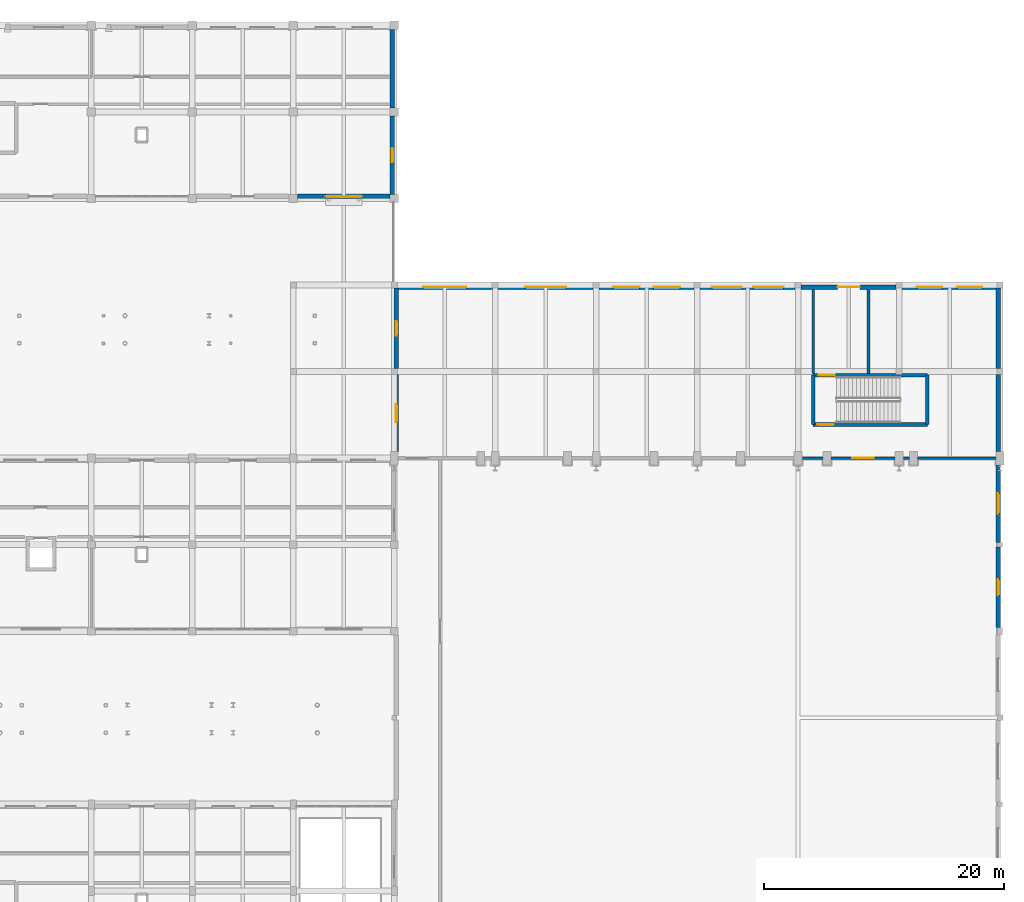
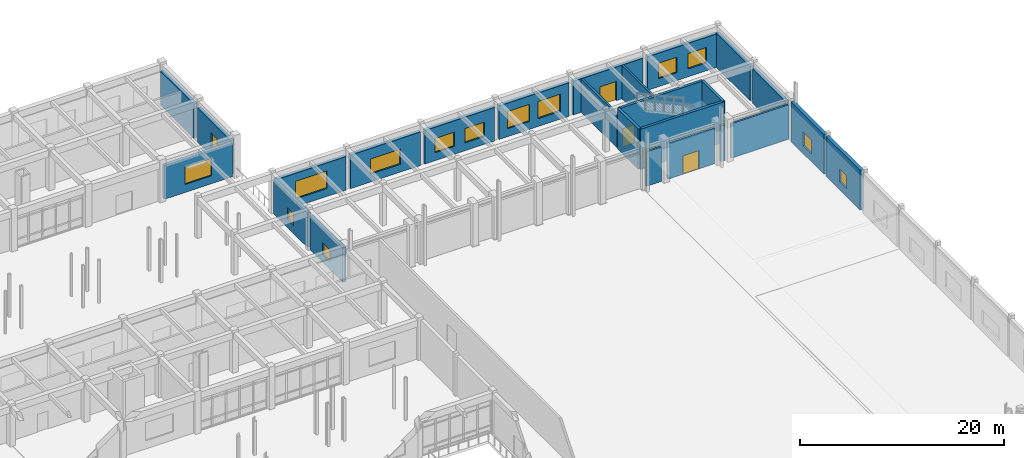
# One storey, part 88 of 121: 25 walls, 14 windows, 4 doors, 18 openings.
"""IFC4 building model written with IfcOpenShell, lengths in metres."""

from ifc_helpers import new_model, si_unit, direction, frame, frame_2d, origin, place, context, subcontext, project, spatial, rectangle, extrude, material, layer, layer_set, type_object, element, fill, save


model = new_model("IFC4")

# Units and contexts
model_context = context("Model", 3, precision=1e-05, world=origin(), true_north=direction((0.0, 1.0)))
body_context = subcontext(model_context, "Body", "Model", "MODEL_VIEW")
ifc_project = project(units=[si_unit("LENGTHUNIT", "METRE"), si_unit("AREAUNIT", "SQUARE_METRE"), si_unit("VOLUMEUNIT", "CUBIC_METRE"), si_unit("PLANEANGLEUNIT", "RADIAN"), si_unit("MASSUNIT", "GRAM", prefix="KILO")], contexts=[model_context])

# Site, building, storey
site_placement = place(None, origin())
site = spatial("IfcSite", under=ifc_project, at=site_placement, CompositionType="ELEMENT")
building_placement = place(site_placement, origin())
building = spatial("IfcBuilding", under=site, at=building_placement, Name="Malvenik Polytechnic", CompositionType="ELEMENT")
storey_placement = place(building_placement, origin())
storey = spatial("IfcBuildingStorey", under=building, at=storey_placement, Name="L00", CompositionType="ELEMENT", Elevation=0.0)

# Wall
ifc_material_1 = material(Name="Concrete C35/45", Category="concrete")
ifc_layer_1 = layer(ifc_material_1, 0.300048828125)
ifc_layer_set_1 = layer_set([ifc_layer_1], Name="Concrete C35/45")
wall_type_1 = type_object("IfcWallType", Name="ARC-CW-S300", PredefinedType="SHEAR", material=ifc_layer_set_1)
wall_1_placement = place(storey_placement, frame((169.25, 96.39990234375, 0.0), z_axis=(0.0, 0.0, 1.0), x_axis=(0.0, 1.0, 0.0)))
element("IfcWall", 1, at=wall_1_placement, inside=storey, type_object=wall_type_1, Name="Stair Core Shear Wall ST-12 L00 NEAR", PredefinedType="SHEAR", context=body_context, shape_type="SweptSolid", body=[
    extrude(rectangle(XDim=4.10009765625, YDim=0.300048828125, at=frame_2d((2.050048828125, 0.0))), origin(), (0.0, 0.0, 1.0), 4.820068359375),
])

# Wall, opening, door
wall_2_placement = place(storey_placement, frame((169.25, 100.5, 0.0), z_axis=(0.0, 0.0, 1.0), x_axis=(1.0, 0.0, 0.0)))
wall_2 = element("IfcWall", 2, at=wall_2_placement, inside=storey, type_object=wall_type_1, Name="Stair Core Shear Wall ST-12 L00 RGHT", PredefinedType="SHEAR", context=body_context, shape_type="SweptSolid", body=[
    extrude(rectangle(XDim=9.5, YDim=0.300048828125, at=frame_2d((4.75, 0.0))), origin(), (0.0, 0.0, 1.0), 4.820068359375),
])
opening_1_placement = place(wall_2_placement, frame((0.449951171875, 0.0, 0.0)))
opening_1 = element("IfcOpeningElement", 3, at=opening_1_placement, cuts=wall_2, Name="Opening SD-01", PredefinedType="OPENING", context=body_context, shape_type="SweptSolid", body=[
    extrude(rectangle(XDim=1.35009765625, YDim=2.199951171875, at=frame_2d((0.675048828125, 1.10009765625))), frame((0.0, 0.16015625, 0.0), z_axis=(0.0, -1.0, 0.0), x_axis=(1.0, 0.0, 0.0)), (0.0, 0.0, 1.0), 0.320068359375),
])
ifc_material_2 = material(Name="Fire-rated steel stair enclosure door", Category="steel")
door_type_1 = type_object("IfcDoorType", Name="ARC-IDR-SD-01", OperationType="NOTDEFINED", PredefinedType="DOOR", material=ifc_material_2)
door_1_placement = place(opening_1_placement, origin())
door_1 = element("IfcDoor", 4, at=door_1_placement, inside=storey, type_object=door_type_1, Name="Fire Stair Exit Discharge Door ST-12 L00", OperationType="SINGLE_SWING_RIGHT", OverallHeight=2.199951171875, OverallWidth=1.35009765625, PredefinedType="DOOR", context=body_context, shape_type="SweptSolid", body=[
    extrude(rectangle(XDim=1.35009765625, YDim=2.199951171875, at=frame_2d((0.675048828125, 1.10009765625))), frame((0.0, 0.02490234375, 0.0), z_axis=(0.0, -1.0, 0.0), x_axis=(1.0, 0.0, 0.0)), (0.0, 0.0, 1.0), 0.050048828125),
])
fill(opening_1, door_1)

# Wall
wall_3_placement = place(storey_placement, frame((178.75, 100.5, 0.0), z_axis=(0.0, 0.0, 1.0), x_axis=(0.0, -1.0, 0.0)))
element("IfcWall", 5, at=wall_3_placement, inside=storey, type_object=wall_type_1, Name="Stair Core Shear Wall ST-12 L00 FAR", PredefinedType="SHEAR", context=body_context, shape_type="SweptSolid", body=[
    extrude(rectangle(XDim=4.10009765625, YDim=0.300048828125, at=frame_2d((2.050048828125, 0.0))), origin(), (0.0, 0.0, 1.0), 4.820068359375),
])

# Wall, opening, door
wall_4_placement = place(storey_placement, frame((178.75, 96.39990234375, 0.0), z_axis=(0.0, 0.0, 1.0), x_axis=(-1.0, 0.0, 0.0)))
wall_4 = element("IfcWall", 6, at=wall_4_placement, inside=storey, type_object=wall_type_1, Name="Stair Core Shear Wall ST-12 L00 LEFT", PredefinedType="SHEAR", context=body_context, shape_type="SweptSolid", body=[
    extrude(rectangle(XDim=9.5, YDim=0.300048828125, at=frame_2d((4.75, 0.0))), origin(), (0.0, 0.0, 1.0), 4.820068359375),
])
opening_2_placement = place(wall_4_placement, frame((7.800048828125, 0.0, 0.0)))
opening_2 = element("IfcOpeningElement", 7, at=opening_2_placement, cuts=wall_4, Name="Opening SD-01", PredefinedType="OPENING", context=body_context, shape_type="SweptSolid", body=[
    extrude(rectangle(XDim=1.35009765625, YDim=2.199951171875, at=frame_2d((0.675048828125, 1.10009765625))), frame((0.0, 0.16015625, 0.0), z_axis=(0.0, -1.0, 0.0), x_axis=(1.0, 0.0, 0.0)), (0.0, 0.0, 1.0), 0.320068359375),
])
door_2_placement = place(opening_2_placement, origin())
door_2 = element("IfcDoor", 8, at=door_2_placement, inside=storey, type_object=door_type_1, Name="Fire Stair Door ST-12 L00", OperationType="SINGLE_SWING_LEFT", OverallHeight=2.199951171875, OverallWidth=1.35009765625, PredefinedType="DOOR", context=body_context, shape_type="SweptSolid", body=[
    extrude(rectangle(XDim=1.35009765625, YDim=2.199951171875, at=frame_2d((0.675048828125, 1.10009765625))), frame((0.0, 0.02490234375, 0.0), z_axis=(0.0, -1.0, 0.0), x_axis=(1.0, 0.0, 0.0)), (0.0, 0.0, 1.0), 0.050048828125),
])
fill(opening_2, door_2)

# Wall
ifc_material_3 = material(Name="Concrete C30/37", Category="concrete")
ifc_layer_2 = layer(ifc_material_3, 0.3798828125)
ifc_layer_set_2 = layer_set([ifc_layer_2], Name="Concrete C30/37")
wall_type_2 = type_object("IfcWallType", Name="ARC-EW-380", PredefinedType="SOLIDWALL", material=ifc_layer_set_2)
wall_5_placement = place(storey_placement, frame((134.22998046875, 129.251953125, 0.0), z_axis=(0.0, 0.0, 1.0), x_axis=(0.0, -1.0, 0.0)))
element("IfcWall", 9, at=wall_5_placement, inside=storey, type_object=wall_type_2, Name="External Facade Wall EW-01 L00 #99", PredefinedType="SOLIDWALL", context=body_context, shape_type="SweptSolid", body=[
    extrude(rectangle(XDim=6.50390625, YDim=0.3798828125, at=frame_2d((3.251953125, 0.0))), origin(), (0.0, 0.0, 1.0), 4.110107421875),
])

# Wall, opening, window
wall_6_placement = place(storey_placement, frame((134.22998046875, 122.052001953125, 0.0), z_axis=(0.0, 0.0, 1.0), x_axis=(0.0, -1.0, 0.0)))
wall_6 = element("IfcWall", 10, at=wall_6_placement, inside=storey, type_object=wall_type_2, Name="External Facade Wall EW-01 L00 #100", PredefinedType="SOLIDWALL", context=body_context, shape_type="SweptSolid", body=[
    extrude(rectangle(XDim=6.50390625, YDim=0.3798828125, at=frame_2d((3.251953125, 0.0))), origin(), (0.0, 0.0, 1.0), 4.110107421875),
])
opening_3_placement = place(wall_6_placement, frame((2.652099609375, 0.0, 0.949951171875)))
opening_3 = element("IfcOpeningElement", 11, at=opening_3_placement, cuts=wall_6, Name="Opening W-07", PredefinedType="OPENING", context=body_context, shape_type="SweptSolid", body=[
    extrude(rectangle(XDim=1.199951171875, YDim=1.800048828125, at=frame_2d((0.60009765625, 0.89990234375))), frame((0.0, 0.199951171875, 0.0), z_axis=(0.0, -1.0, 0.0), x_axis=(1.0, 0.0, 0.0)), (0.0, 0.0, 1.0), 0.39990234375),
])
ifc_material_4 = material(Name="Thermally broken aluminium frame with low-E double glazing", Category="aluminium")
window_type_1 = type_object("IfcWindowType", Name="ARC-WIN-W-07", PartitioningType="SINGLE_PANEL", PredefinedType="WINDOW", material=ifc_material_4)
window_1_placement = place(opening_3_placement, origin())
window_1 = element("IfcWindow", 12, at=window_1_placement, inside=storey, type_object=window_type_1, Name="Punched Window W-07 L00 #65", OverallHeight=1.800048828125, OverallWidth=1.199951171875, PartitioningType="SINGLE_PANEL", PredefinedType="WINDOW", context=body_context, shape_type="SweptSolid", body=[
    extrude(rectangle(XDim=1.199951171875, YDim=1.800048828125, at=frame_2d((0.60009765625, 0.89990234375))), frame((0.0, 0.030029296875, 0.0), z_axis=(0.0, -1.0, 0.0), x_axis=(1.0, 0.0, 0.0)), (0.0, 0.0, 1.0), 0.06005859375),
])
fill(opening_3, window_1)

wall_7_placement = place(storey_placement, frame((134.052001953125, 115.3701171875, 0.0), z_axis=(0.0, 0.0, 1.0), x_axis=(-1.0, 0.0, 0.0)))
wall_7 = element("IfcWall", 13, at=wall_7_placement, inside=storey, type_object=wall_type_2, Name="External Facade Wall EW-01 L00 #101", PredefinedType="SOLIDWALL", context=body_context, shape_type="SweptSolid", body=[
    extrude(rectangle(XDim=7.7041015625, YDim=0.3798828125, at=frame_2d((3.85205078125, 0.0))), origin(), (0.0, 0.0, 1.0), 4.010009765625),
])
opening_4_placement = place(wall_7_placement, frame((2.35205078125, 0.0, 0.949951171875)))
opening_4 = element("IfcOpeningElement", 14, at=opening_4_placement, cuts=wall_7, Name="Opening W-08", PredefinedType="OPENING", context=body_context, shape_type="SweptSolid", body=[
    extrude(rectangle(XDim=3.0, YDim=2.10009765625, at=frame_2d((1.5, 1.050048828125))), frame((0.0, 0.199951171875, 0.0), z_axis=(0.0, -1.0, 0.0), x_axis=(1.0, 0.0, 0.0)), (0.0, 0.0, 1.0), 0.39990234375),
])
window_type_2 = type_object("IfcWindowType", Name="ARC-WIN-W-08", PartitioningType="SINGLE_PANEL", PredefinedType="WINDOW", material=ifc_material_4)
window_2_placement = place(opening_4_placement, origin())
window_2 = element("IfcWindow", 15, at=window_2_placement, inside=storey, type_object=window_type_2, Name="Punched Window W-08 L00 #66", OverallHeight=2.10009765625, OverallWidth=3.0, PartitioningType="SINGLE_PANEL", PredefinedType="WINDOW", context=body_context, shape_type="SweptSolid", body=[
    extrude(rectangle(XDim=3.0, YDim=2.10009765625, at=frame_2d((1.5, 1.050048828125))), frame((0.0, 0.030029296875, 0.0), z_axis=(0.0, -1.0, 0.0), x_axis=(1.0, 0.0, 0.0)), (0.0, 0.0, 1.0), 0.06005859375),
])
fill(opening_4, window_2)

wall_8_placement = place(storey_placement, frame((134.570068359375, 94.14794921875, 0.0), z_axis=(0.0, 0.0, 1.0), x_axis=(0.0, 1.0, 0.0)))
wall_8 = element("IfcWall", 16, at=wall_8_placement, inside=storey, type_object=wall_type_2, Name="External Facade Wall EW-01 L00 #111", PredefinedType="SOLIDWALL", context=body_context, shape_type="SweptSolid", body=[
    extrude(rectangle(XDim=6.404052734375, YDim=0.3798828125, at=frame_2d((3.2021484375, 0.0))), origin(), (0.0, 0.0, 1.0), 4.110107421875),
])
opening_5_placement = place(wall_8_placement, frame((2.451904296875, 0.0, 0.949951171875)))
opening_5 = element("IfcOpeningElement", 17, at=opening_5_placement, cuts=wall_8, Name="Opening W-15", PredefinedType="OPENING", context=body_context, shape_type="SweptSolid", body=[
    extrude(rectangle(XDim=1.5, YDim=1.39990234375, at=frame_2d((0.75, 0.699951171875))), frame((0.0, 0.199951171875, 0.0), z_axis=(0.0, -1.0, 0.0), x_axis=(1.0, 0.0, 0.0)), (0.0, 0.0, 1.0), 0.39990234375),
])
window_type_3 = type_object("IfcWindowType", Name="ARC-WIN-W-15", PartitioningType="SINGLE_PANEL", PredefinedType="WINDOW", material=ifc_material_4)
window_3_placement = place(opening_5_placement, origin())
window_3 = element("IfcWindow", 18, at=window_3_placement, inside=storey, type_object=window_type_3, Name="Punched Window W-15 L00 #73", OverallHeight=1.39990234375, OverallWidth=1.5, PartitioningType="SINGLE_PANEL", PredefinedType="WINDOW", context=body_context, shape_type="SweptSolid", body=[
    extrude(rectangle(XDim=1.5, YDim=1.39990234375, at=frame_2d((0.75, 0.699951171875))), frame((0.0, 0.030029296875, 0.0), z_axis=(0.0, -1.0, 0.0), x_axis=(1.0, 0.0, 0.0)), (0.0, 0.0, 1.0), 0.06005859375),
])
fill(opening_5, window_3)

wall_9_placement = place(storey_placement, frame((134.570068359375, 101.048095703125, 0.0), z_axis=(0.0, 0.0, 1.0), x_axis=(0.0, 1.0, 0.0)))
wall_9 = element("IfcWall", 19, at=wall_9_placement, inside=storey, type_object=wall_type_2, Name="External Facade Wall EW-01 L00 #112", PredefinedType="SOLIDWALL", context=body_context, shape_type="SweptSolid", body=[
    extrude(rectangle(XDim=6.703857421875, YDim=0.3798828125, at=frame_2d((3.35205078125, 0.0))), origin(), (0.0, 0.0, 1.0), 4.110107421875),
])
opening_6_placement = place(wall_9_placement, frame((2.751953125, 0.0, 0.949951171875)))
opening_6 = element("IfcOpeningElement", 20, at=opening_6_placement, cuts=wall_9, Name="Opening W-16", PredefinedType="OPENING", context=body_context, shape_type="SweptSolid", body=[
    extrude(rectangle(XDim=1.199951171875, YDim=1.39990234375, at=frame_2d((0.60009765625, 0.699951171875))), frame((0.0, 0.199951171875, 0.0), z_axis=(0.0, -1.0, 0.0), x_axis=(1.0, 0.0, 0.0)), (0.0, 0.0, 1.0), 0.39990234375),
])
window_type_4 = type_object("IfcWindowType", Name="ARC-WIN-W-16", PartitioningType="SINGLE_PANEL", PredefinedType="WINDOW", material=ifc_material_4)
window_4_placement = place(opening_6_placement, origin())
window_4 = element("IfcWindow", 21, at=window_4_placement, inside=storey, type_object=window_type_4, Name="Punched Window W-16 L00 #74", OverallHeight=1.39990234375, OverallWidth=1.199951171875, PartitioningType="SINGLE_PANEL", PredefinedType="WINDOW", context=body_context, shape_type="SweptSolid", body=[
    extrude(rectangle(XDim=1.199951171875, YDim=1.39990234375, at=frame_2d((0.60009765625, 0.699951171875))), frame((0.0, 0.030029296875, 0.0), z_axis=(0.0, -1.0, 0.0), x_axis=(1.0, 0.0, 0.0)), (0.0, 0.0, 1.0), 0.06005859375),
])
fill(opening_6, window_4)

wall_10_placement = place(storey_placement, frame((134.64794921875, 107.830078125, 0.0), z_axis=(0.0, 0.0, 1.0), x_axis=(1.0, 0.0, 0.0)))
wall_10 = element("IfcWall", 22, at=wall_10_placement, inside=storey, type_object=wall_type_2, Name="External Facade Wall EW-01 L00 #113", PredefinedType="SOLIDWALL", context=body_context, shape_type="SweptSolid", body=[
    extrude(rectangle(XDim=7.904052734375, YDim=0.3798828125, at=frame_2d((3.9521484375, 0.0))), origin(), (0.0, 0.0, 1.0), 4.010009765625),
])
opening_7_placement = place(wall_10_placement, frame((2.152099609375, 0.0, 0.949951171875)))
opening_7 = element("IfcOpeningElement", 23, at=opening_7_placement, cuts=wall_10, Name="Opening W-17", PredefinedType="OPENING", context=body_context, shape_type="SweptSolid", body=[
    extrude(rectangle(XDim=3.60009765625, YDim=2.10009765625, at=frame_2d((1.800048828125, 1.050048828125))), frame((0.0, 0.199951171875, 0.0), z_axis=(0.0, -1.0, 0.0), x_axis=(1.0, 0.0, 0.0)), (0.0, 0.0, 1.0), 0.39990234375),
])
window_type_5 = type_object("IfcWindowType", Name="ARC-WIN-W-17", PartitioningType="SINGLE_PANEL", PredefinedType="WINDOW", material=ifc_material_4)
window_5_placement = place(opening_7_placement, origin())
window_5 = element("IfcWindow", 24, at=window_5_placement, inside=storey, type_object=window_type_5, Name="Punched Window W-17 L00 #75", OverallHeight=2.10009765625, OverallWidth=3.60009765625, PartitioningType="SINGLE_PANEL", PredefinedType="WINDOW", context=body_context, shape_type="SweptSolid", body=[
    extrude(rectangle(XDim=3.60009765625, YDim=2.10009765625, at=frame_2d((1.800048828125, 1.050048828125))), frame((0.0, 0.030029296875, 0.0), z_axis=(0.0, -1.0, 0.0), x_axis=(1.0, 0.0, 0.0)), (0.0, 0.0, 1.0), 0.06005859375),
])
fill(opening_7, window_5)

wall_11_placement = place(storey_placement, frame((143.048095703125, 107.830078125, 0.0), z_axis=(0.0, 0.0, 1.0), x_axis=(1.0, 0.0, 0.0)))
wall_11 = element("IfcWall", 25, at=wall_11_placement, inside=storey, type_object=wall_type_2, Name="External Facade Wall EW-01 L00 #114", PredefinedType="SOLIDWALL", context=body_context, shape_type="SweptSolid", body=[
    extrude(rectangle(XDim=7.90380859375, YDim=0.3798828125, at=frame_2d((3.951904296875, 0.0))), origin(), (0.0, 0.0, 1.0), 4.010009765625),
])
opening_8_placement = place(wall_11_placement, frame((2.251953125, 0.0, 0.949951171875)))
opening_8 = element("IfcOpeningElement", 26, at=opening_8_placement, cuts=wall_11, Name="Opening W-18", PredefinedType="OPENING", context=body_context, shape_type="SweptSolid", body=[
    extrude(rectangle(XDim=3.39990234375, YDim=1.800048828125, at=frame_2d((1.699951171875, 0.89990234375))), frame((0.0, 0.199951171875, 0.0), z_axis=(0.0, -1.0, 0.0), x_axis=(1.0, 0.0, 0.0)), (0.0, 0.0, 1.0), 0.39990234375),
])
window_type_6 = type_object("IfcWindowType", Name="ARC-WIN-W-18", PartitioningType="SINGLE_PANEL", PredefinedType="WINDOW", material=ifc_material_4)
window_6_placement = place(opening_8_placement, origin())
window_6 = element("IfcWindow", 27, at=window_6_placement, inside=storey, type_object=window_type_6, Name="Punched Window W-18 L00 #76", OverallHeight=1.800048828125, OverallWidth=3.39990234375, PartitioningType="SINGLE_PANEL", PredefinedType="WINDOW", context=body_context, shape_type="SweptSolid", body=[
    extrude(rectangle(XDim=3.39990234375, YDim=1.800048828125, at=frame_2d((1.699951171875, 0.89990234375))), frame((0.0, 0.030029296875, 0.0), z_axis=(0.0, -1.0, 0.0), x_axis=(1.0, 0.0, 0.0)), (0.0, 0.0, 1.0), 0.06005859375),
])
fill(opening_8, window_6)

# Wall, openings, windows
wall_12_placement = place(storey_placement, frame((151.447998046875, 107.830078125, 0.0), z_axis=(0.0, 0.0, 1.0), x_axis=(1.0, 0.0, 0.0)))
wall_12 = element("IfcWall", 28, at=wall_12_placement, inside=storey, type_object=wall_type_2, Name="External Facade Wall EW-01 L00 #115", PredefinedType="SOLIDWALL", context=body_context, shape_type="SweptSolid", body=[
    extrude(rectangle(XDim=7.904052734375, YDim=0.3798828125, at=frame_2d((3.9521484375, 0.0))), origin(), (0.0, 0.0, 1.0), 4.010009765625),
])
opening_9_placement = place(wall_12_placement, frame((1.16796875, 0.0, 0.949951171875)))
opening_9 = element("IfcOpeningElement", 29, at=opening_9_placement, cuts=wall_12, Name="Opening W-19", PredefinedType="OPENING", context=body_context, shape_type="SweptSolid", body=[
    extrude(rectangle(XDim=2.199951171875, YDim=1.699951171875, at=frame_2d((1.10009765625, 0.85009765625))), frame((0.0, 0.199951171875, 0.0), z_axis=(0.0, -1.0, 0.0), x_axis=(1.0, 0.0, 0.0)), (0.0, 0.0, 1.0), 0.39990234375),
])
opening_10_placement = place(wall_12_placement, frame((4.535888671875, 0.0, 0.949951171875)))
opening_10 = element("IfcOpeningElement", 30, at=opening_10_placement, cuts=wall_12, Name="Opening W-19", PredefinedType="OPENING", context=body_context, shape_type="SweptSolid", body=[
    extrude(rectangle(XDim=2.199951171875, YDim=1.699951171875, at=frame_2d((1.10009765625, 0.85009765625))), frame((0.0, 0.199951171875, 0.0), z_axis=(0.0, -1.0, 0.0), x_axis=(1.0, 0.0, 0.0)), (0.0, 0.0, 1.0), 0.39990234375),
])
window_type_7 = type_object("IfcWindowType", Name="ARC-WIN-W-19", PartitioningType="SINGLE_PANEL", PredefinedType="WINDOW", material=ifc_material_4)
window_7_placement = place(opening_9_placement, origin())
window_7 = element("IfcWindow", 31, at=window_7_placement, inside=storey, type_object=window_type_7, Name="Punched Window W-19 L00 #77", OverallHeight=1.699951171875, OverallWidth=2.199951171875, PartitioningType="SINGLE_PANEL", PredefinedType="WINDOW", context=body_context, shape_type="SweptSolid", body=[
    extrude(rectangle(XDim=2.199951171875, YDim=1.699951171875, at=frame_2d((1.10009765625, 0.85009765625))), frame((0.0, 0.030029296875, 0.0), z_axis=(0.0, -1.0, 0.0), x_axis=(1.0, 0.0, 0.0)), (0.0, 0.0, 1.0), 0.06005859375),
])
fill(opening_9, window_7)
window_8_placement = place(opening_10_placement, origin())
window_8 = element("IfcWindow", 32, at=window_8_placement, inside=storey, type_object=window_type_7, Name="Punched Window W-19 L00 #78", OverallHeight=1.699951171875, OverallWidth=2.199951171875, PartitioningType="SINGLE_PANEL", PredefinedType="WINDOW", context=body_context, shape_type="SweptSolid", body=[
    extrude(rectangle(XDim=2.199951171875, YDim=1.699951171875, at=frame_2d((1.10009765625, 0.85009765625))), frame((0.0, 0.030029296875, 0.0), z_axis=(0.0, -1.0, 0.0), x_axis=(1.0, 0.0, 0.0)), (0.0, 0.0, 1.0), 0.06005859375),
])
fill(opening_10, window_8)

wall_13_placement = place(storey_placement, frame((159.847900390625, 107.830078125, 0.0), z_axis=(0.0, 0.0, 1.0), x_axis=(1.0, 0.0, 0.0)))
wall_13 = element("IfcWall", 33, at=wall_13_placement, inside=storey, type_object=wall_type_2, Name="External Facade Wall EW-01 L00 #116", PredefinedType="SOLIDWALL", context=body_context, shape_type="SweptSolid", body=[
    extrude(rectangle(XDim=7.904052734375, YDim=0.3798828125, at=frame_2d((3.9521484375, 0.0))), origin(), (0.0, 0.0, 1.0), 4.010009765625),
])
opening_11_placement = place(wall_13_placement, frame((0.968017578125, 0.0, 0.949951171875)))
opening_11 = element("IfcOpeningElement", 34, at=opening_11_placement, cuts=wall_13, Name="Opening W-21", PredefinedType="OPENING", context=body_context, shape_type="SweptSolid", body=[
    extrude(rectangle(XDim=2.5, YDim=2.050048828125, at=frame_2d((1.25, 1.02490234375))), frame((0.0, 0.199951171875, 0.0), z_axis=(0.0, -1.0, 0.0), x_axis=(1.0, 0.0, 0.0)), (0.0, 0.0, 1.0), 0.39990234375),
])
opening_12_placement = place(wall_13_placement, frame((4.43603515625, 0.0, 0.949951171875)))
opening_12 = element("IfcOpeningElement", 35, at=opening_12_placement, cuts=wall_13, Name="Opening W-21", PredefinedType="OPENING", context=body_context, shape_type="SweptSolid", body=[
    extrude(rectangle(XDim=2.5, YDim=2.050048828125, at=frame_2d((1.25, 1.02490234375))), frame((0.0, 0.199951171875, 0.0), z_axis=(0.0, -1.0, 0.0), x_axis=(1.0, 0.0, 0.0)), (0.0, 0.0, 1.0), 0.39990234375),
])
window_type_8 = type_object("IfcWindowType", Name="ARC-WIN-W-21", PartitioningType="SINGLE_PANEL", PredefinedType="WINDOW", material=ifc_material_4)
window_9_placement = place(opening_11_placement, origin())
window_9 = element("IfcWindow", 36, at=window_9_placement, inside=storey, type_object=window_type_8, Name="Punched Window W-21 L00 #79", OverallHeight=2.050048828125, OverallWidth=2.5, PartitioningType="SINGLE_PANEL", PredefinedType="WINDOW", context=body_context, shape_type="SweptSolid", body=[
    extrude(rectangle(XDim=2.5, YDim=2.050048828125, at=frame_2d((1.25, 1.02490234375))), frame((0.0, 0.030029296875, 0.0), z_axis=(0.0, -1.0, 0.0), x_axis=(1.0, 0.0, 0.0)), (0.0, 0.0, 1.0), 0.06005859375),
])
fill(opening_11, window_9)
window_10_placement = place(opening_12_placement, origin())
window_10 = element("IfcWindow", 37, at=window_10_placement, inside=storey, type_object=window_type_8, Name="Punched Window W-21 L00 #80", OverallHeight=2.050048828125, OverallWidth=2.5, PartitioningType="SINGLE_PANEL", PredefinedType="WINDOW", context=body_context, shape_type="SweptSolid", body=[
    extrude(rectangle(XDim=2.5, YDim=2.050048828125, at=frame_2d((1.25, 1.02490234375))), frame((0.0, 0.030029296875, 0.0), z_axis=(0.0, -1.0, 0.0), x_axis=(1.0, 0.0, 0.0)), (0.0, 0.0, 1.0), 0.06005859375),
])
fill(opening_12, window_10)

# Wall, opening, door
wall_14_placement = place(storey_placement, frame((168.248046875, 107.830078125, 0.0), z_axis=(0.0, 0.0, 1.0), x_axis=(1.0, 0.0, 0.0)))
wall_14 = element("IfcWall", 38, at=wall_14_placement, inside=storey, type_object=wall_type_2, Name="External Facade Wall EW-01 L00 #117", PredefinedType="SOLIDWALL", context=body_context, shape_type="SweptSolid", body=[
    extrude(rectangle(XDim=7.904052734375, YDim=0.3798828125, at=frame_2d((3.9521484375, 0.0))), origin(), (0.0, 0.0, 1.0), 4.010009765625),
])
opening_13_placement = place(wall_14_placement, frame((3.027099609375, 0.0, 0.0)))
opening_13 = element("IfcOpeningElement", 39, at=opening_13_placement, cuts=wall_14, Name="Opening ED-03", PredefinedType="OPENING", context=body_context, shape_type="SweptSolid", body=[
    extrude(rectangle(XDim=1.85009765625, YDim=2.300048828125, at=frame_2d((0.925048828125, 1.14990234375))), frame((0.0, 0.199951171875, 0.0), z_axis=(0.0, -1.0, 0.0), x_axis=(1.0, 0.0, 0.0)), (0.0, 0.0, 1.0), 0.39990234375),
])
ifc_material_5 = material(Name="Powder-coated steel emergency exit double door", Category="steel")
door_type_2 = type_object("IfcDoorType", Name="ARC-EDR-ED-03", OperationType="NOTDEFINED", PredefinedType="DOOR", material=ifc_material_5)
door_3_placement = place(opening_13_placement, origin())
door_3 = element("IfcDoor", 40, at=door_3_placement, inside=storey, type_object=door_type_2, Name="External Door ED-03 L00 #29", OperationType="DOUBLE_DOOR_SINGLE_SWING", OverallHeight=2.300048828125, OverallWidth=1.85009765625, PredefinedType="DOOR", context=body_context, shape_type="SweptSolid", body=[
    extrude(rectangle(XDim=1.85009765625, YDim=2.300048828125, at=frame_2d((0.925048828125, 1.14990234375))), frame((0.0, 0.02490234375, 0.0), z_axis=(0.0, -1.0, 0.0), x_axis=(1.0, 0.0, 0.0)), (0.0, 0.0, 1.0), 0.050048828125),
])
fill(opening_13, door_3)

# Wall, openings, windows
wall_15_placement = place(storey_placement, frame((176.64794921875, 107.830078125, 0.0), z_axis=(0.0, 0.0, 1.0), x_axis=(1.0, 0.0, 0.0)))
wall_15 = element("IfcWall", 41, at=wall_15_placement, inside=storey, type_object=wall_type_2, Name="External Facade Wall EW-01 L00 #118", PredefinedType="SOLIDWALL", context=body_context, shape_type="SweptSolid", body=[
    extrude(rectangle(XDim=7.904052734375, YDim=0.3798828125, at=frame_2d((3.9521484375, 0.0))), origin(), (0.0, 0.0, 1.0), 4.010009765625),
])
opening_14_placement = place(wall_15_placement, frame((1.234619140625, 0.0, 0.949951171875)))
opening_14 = element("IfcOpeningElement", 42, at=opening_14_placement, cuts=wall_15, Name="Opening W-23", PredefinedType="OPENING", context=body_context, shape_type="SweptSolid", body=[
    extrude(rectangle(XDim=2.10009765625, YDim=1.85009765625, at=frame_2d((1.050048828125, 0.925048828125))), frame((0.0, 0.199951171875, 0.0), z_axis=(0.0, -1.0, 0.0), x_axis=(1.0, 0.0, 0.0)), (0.0, 0.0, 1.0), 0.39990234375),
])
opening_15_placement = place(wall_15_placement, frame((4.5693359375, 0.0, 0.949951171875)))
opening_15 = element("IfcOpeningElement", 43, at=opening_15_placement, cuts=wall_15, Name="Opening W-23", PredefinedType="OPENING", context=body_context, shape_type="SweptSolid", body=[
    extrude(rectangle(XDim=2.10009765625, YDim=1.85009765625, at=frame_2d((1.050048828125, 0.925048828125))), frame((0.0, 0.199951171875, 0.0), z_axis=(0.0, -1.0, 0.0), x_axis=(1.0, 0.0, 0.0)), (0.0, 0.0, 1.0), 0.39990234375),
])
window_type_9 = type_object("IfcWindowType", Name="ARC-WIN-W-23", PartitioningType="SINGLE_PANEL", PredefinedType="WINDOW", material=ifc_material_4)
window_11_placement = place(opening_14_placement, origin())
window_11 = element("IfcWindow", 44, at=window_11_placement, inside=storey, type_object=window_type_9, Name="Punched Window W-23 L00 #81", OverallHeight=1.85009765625, OverallWidth=2.10009765625, PartitioningType="SINGLE_PANEL", PredefinedType="WINDOW", context=body_context, shape_type="SweptSolid", body=[
    extrude(rectangle(XDim=2.10009765625, YDim=1.85009765625, at=frame_2d((1.050048828125, 0.925048828125))), frame((0.0, 0.030029296875, 0.0), z_axis=(0.0, -1.0, 0.0), x_axis=(1.0, 0.0, 0.0)), (0.0, 0.0, 1.0), 0.06005859375),
])
fill(opening_14, window_11)
window_12_placement = place(opening_15_placement, origin())
window_12 = element("IfcWindow", 45, at=window_12_placement, inside=storey, type_object=window_type_9, Name="Punched Window W-23 L00 #82", OverallHeight=1.85009765625, OverallWidth=2.10009765625, PartitioningType="SINGLE_PANEL", PredefinedType="WINDOW", context=body_context, shape_type="SweptSolid", body=[
    extrude(rectangle(XDim=2.10009765625, YDim=1.85009765625, at=frame_2d((1.050048828125, 0.925048828125))), frame((0.0, 0.030029296875, 0.0), z_axis=(0.0, -1.0, 0.0), x_axis=(1.0, 0.0, 0.0)), (0.0, 0.0, 1.0), 0.06005859375),
])
fill(opening_15, window_12)

# Walls
wall_16_placement = place(storey_placement, frame((184.6298828125, 107.751953125, 0.0), z_axis=(0.0, 0.0, 1.0), x_axis=(0.0, -1.0, 0.0)))
element("IfcWall", 46, at=wall_16_placement, inside=storey, type_object=wall_type_2, Name="External Facade Wall EW-01 L00 #119", PredefinedType="SOLIDWALL", context=body_context, shape_type="SweptSolid", body=[
    extrude(rectangle(XDim=6.703857421875, YDim=0.3798828125, at=frame_2d((3.35205078125, 0.0))), origin(), (0.0, 0.0, 1.0), 4.110107421875),
])
wall_17_placement = place(storey_placement, frame((184.6298828125, 100.552001953125, 0.0), z_axis=(0.0, 0.0, 1.0), x_axis=(0.0, -1.0, 0.0)))
element("IfcWall", 47, at=wall_17_placement, inside=storey, type_object=wall_type_2, Name="External Facade Wall EW-01 L00 #120", PredefinedType="SOLIDWALL", context=body_context, shape_type="SweptSolid", body=[
    extrude(rectangle(XDim=6.404052734375, YDim=0.3798828125, at=frame_2d((3.2021484375, 0.0))), origin(), (0.0, 0.0, 1.0), 4.110107421875),
])

# Wall, opening, window
wall_18_placement = place(storey_placement, frame((184.6298828125, 93.052001953125, 0.0), z_axis=(0.0, 0.0, 1.0), x_axis=(0.0, -1.0, 0.0)))
wall_18 = element("IfcWall", 48, at=wall_18_placement, inside=storey, type_object=wall_type_2, Name="External Facade Wall EW-01 L00 #121", PredefinedType="SOLIDWALL", context=body_context, shape_type="SweptSolid", body=[
    extrude(rectangle(XDim=6.4541015625, YDim=0.3798828125, at=frame_2d((3.22705078125, 0.0))), origin(), (0.0, 0.0, 1.0), 4.760009765625),
])
opening_16_placement = place(wall_18_placement, frame((2.376953125, 0.0, 0.949951171875)))
opening_16 = element("IfcOpeningElement", 49, at=opening_16_placement, cuts=wall_18, Name="Opening W-25", PredefinedType="OPENING", context=body_context, shape_type="SweptSolid", body=[
    extrude(rectangle(XDim=1.699951171875, YDim=1.64990234375, at=frame_2d((0.85009765625, 0.824951171875))), frame((0.0, 0.199951171875, 0.0), z_axis=(0.0, -1.0, 0.0), x_axis=(1.0, 0.0, 0.0)), (0.0, 0.0, 1.0), 0.39990234375),
])
window_type_10 = type_object("IfcWindowType", Name="ARC-WIN-W-25", PartitioningType="SINGLE_PANEL", PredefinedType="WINDOW", material=ifc_material_4)
window_13_placement = place(opening_16_placement, origin())
window_13 = element("IfcWindow", 50, at=window_13_placement, inside=storey, type_object=window_type_10, Name="Punched Window W-25 L00 #83", OverallHeight=1.64990234375, OverallWidth=1.699951171875, PartitioningType="SINGLE_PANEL", PredefinedType="WINDOW", context=body_context, shape_type="SweptSolid", body=[
    extrude(rectangle(XDim=1.699951171875, YDim=1.64990234375, at=frame_2d((0.85009765625, 0.824951171875))), frame((0.0, 0.030029296875, 0.0), z_axis=(0.0, -1.0, 0.0), x_axis=(1.0, 0.0, 0.0)), (0.0, 0.0, 1.0), 0.06005859375),
])
fill(opening_16, window_13)

wall_19_placement = place(storey_placement, frame((184.6298828125, 86.201904296875, 0.0), z_axis=(0.0, 0.0, 1.0), x_axis=(0.0, -1.0, 0.0)))
wall_19 = element("IfcWall", 51, at=wall_19_placement, inside=storey, type_object=wall_type_2, Name="External Facade Wall EW-01 L00 #122", PredefinedType="SOLIDWALL", context=body_context, shape_type="SweptSolid", body=[
    extrude(rectangle(XDim=6.703857421875, YDim=0.3798828125, at=frame_2d((3.35205078125, 0.0))), origin(), (0.0, 0.0, 1.0), 4.760009765625),
])
opening_17_placement = place(wall_19_placement, frame((2.677001953125, 0.0, 0.949951171875)))
opening_17 = element("IfcOpeningElement", 52, at=opening_17_placement, cuts=wall_19, Name="Opening W-26", PredefinedType="OPENING", context=body_context, shape_type="SweptSolid", body=[
    extrude(rectangle(XDim=1.35009765625, YDim=1.550048828125, at=frame_2d((0.675048828125, 0.77490234375))), frame((0.0, 0.199951171875, 0.0), z_axis=(0.0, -1.0, 0.0), x_axis=(1.0, 0.0, 0.0)), (0.0, 0.0, 1.0), 0.39990234375),
])
window_type_11 = type_object("IfcWindowType", Name="ARC-WIN-W-26", PartitioningType="SINGLE_PANEL", PredefinedType="WINDOW", material=ifc_material_4)
window_14_placement = place(opening_17_placement, origin())
window_14 = element("IfcWindow", 53, at=window_14_placement, inside=storey, type_object=window_type_11, Name="Punched Window W-26 L00 #84", OverallHeight=1.550048828125, OverallWidth=1.35009765625, PartitioningType="SINGLE_PANEL", PredefinedType="WINDOW", context=body_context, shape_type="SweptSolid", body=[
    extrude(rectangle(XDim=1.35009765625, YDim=1.550048828125, at=frame_2d((0.675048828125, 0.77490234375))), frame((0.0, 0.030029296875, 0.0), z_axis=(0.0, -1.0, 0.0), x_axis=(1.0, 0.0, 0.0)), (0.0, 0.0, 1.0), 0.06005859375),
])
fill(opening_17, window_14)

# Wall
ifc_material_6 = material(Name="Autoclaved aerated concrete blockwork 220mm", Category="masonry")
ifc_layer_3 = layer(ifc_material_6, 0.219970703125)
ifc_layer_set_3 = layer_set([ifc_layer_3], Name="Autoclaved aerated concrete blockwork 220mm")
wall_type_3 = type_object("IfcWallType", Name="ARC-FW-220", PredefinedType="SOLIDWALL", material=ifc_layer_set_3)
wall_20_placement = place(storey_placement, frame((168.344970703125, 93.60009765625, 0.0), z_axis=(0.0, 0.0, 1.0), x_axis=(1.0, 0.0, 0.0)))
element("IfcWall", 54, at=wall_20_placement, inside=storey, type_object=wall_type_3, Name="Interior Partition FW-01 L00 #129", PredefinedType="SOLIDWALL", context=body_context, shape_type="SweptSolid", body=[
    extrude(rectangle(XDim=1.7099609375, YDim=0.219970703125, at=frame_2d((0.85498046875, 0.0))), origin(), (0.0, 0.0, 1.0), 4.10498046875),
])

# Wall, opening, door
wall_21_placement = place(storey_placement, frame((170.7451171875, 93.60009765625, 0.0), z_axis=(0.0, 0.0, 1.0), x_axis=(1.0, 0.0, 0.0)))
wall_21 = element("IfcWall", 55, at=wall_21_placement, inside=storey, type_object=wall_type_3, Name="Interior Partition FW-01 L00 #130", PredefinedType="SOLIDWALL", context=body_context, shape_type="SweptSolid", body=[
    extrude(rectangle(XDim=5.309814453125, YDim=0.219970703125, at=frame_2d((2.65478515625, 0.0))), origin(), (0.0, 0.0, 1.0), 4.302978515625),
])
opening_18_placement = place(wall_21_placement, frame((1.7548828125, 0.0, 0.0)))
opening_18 = element("IfcOpeningElement", 56, at=opening_18_placement, cuts=wall_21, Name="Opening FD-02", PredefinedType="OPENING", context=body_context, shape_type="SweptSolid", body=[
    extrude(rectangle(XDim=1.800048828125, YDim=2.199951171875, at=frame_2d((0.89990234375, 1.10009765625))), frame((0.0, 0.1201171875, 0.0), z_axis=(0.0, -1.0, 0.0), x_axis=(1.0, 0.0, 0.0)), (0.0, 0.0, 1.0), 0.239990234375),
])
ifc_material_7 = material(Name="Fire-rated double-leaf corridor compartment door", Category="steel")
door_type_3 = type_object("IfcDoorType", Name="ARC-IDR-FD-02", OperationType="NOTDEFINED", PredefinedType="DOOR", material=ifc_material_7)
door_4_placement = place(opening_18_placement, origin())
door_4 = element("IfcDoor", 57, at=door_4_placement, inside=storey, type_object=door_type_3, Name="Interior Door FD-02 L00 #60", OperationType="DOUBLE_DOOR_SINGLE_SWING", OverallHeight=2.199951171875, OverallWidth=1.800048828125, PredefinedType="DOOR", context=body_context, shape_type="SweptSolid", body=[
    extrude(rectangle(XDim=1.800048828125, YDim=2.199951171875, at=frame_2d((0.89990234375, 1.10009765625))), frame((0.0, 0.02490234375, 0.0), z_axis=(0.0, -1.0, 0.0), x_axis=(1.0, 0.0, 0.0)), (0.0, 0.0, 1.0), 0.050048828125),
])
fill(opening_18, door_4)

# Walls
wall_22_placement = place(storey_placement, frame((176.7451171875, 93.60009765625, 0.0), z_axis=(0.0, 0.0, 1.0), x_axis=(1.0, 0.0, 0.0)))
element("IfcWall", 58, at=wall_22_placement, inside=storey, type_object=wall_type_3, Name="Interior Partition FW-01 L00 #131", PredefinedType="SOLIDWALL", context=body_context, shape_type="SweptSolid", body=[
    extrude(rectangle(XDim=0.509765625, YDim=0.219970703125, at=frame_2d((0.2548828125, 0.0))), origin(), (0.0, 0.0, 1.0), 4.302978515625),
])
wall_23_placement = place(storey_placement, frame((177.945068359375, 93.60009765625, 0.0), z_axis=(0.0, 0.0, 1.0), x_axis=(1.0, 0.0, 0.0)))
element("IfcWall", 59, at=wall_23_placement, inside=storey, type_object=wall_type_3, Name="Interior Partition FW-01 L00 #132", PredefinedType="SOLIDWALL", context=body_context, shape_type="SweptSolid", body=[
    extrude(rectangle(XDim=6.510009765625, YDim=0.219970703125, at=frame_2d((3.2548828125, 0.0))), origin(), (0.0, 0.0, 1.0), 4.10498046875),
])
for number, where, z_axis, x_axis, name in (
    (60, (169.25, 100.64990234375, 0.0), (0.0, 0.0, 1.0), (0.0, 1.0, 0.0), "Exit Passage Fire Wall FW-01 L00 #7"),
    (61, (173.85009765625, 100.64990234375, 0.0), (0.0, 0.0, 1.0), (0.0, 1.0, 0.0), "Exit Passage Fire Wall FW-01 L00 #8"),
):
    element("IfcWall", number, at=place(storey_placement, frame(where, z_axis=z_axis, x_axis=x_axis)), inside=storey, type_object=wall_type_3, Name=name, PredefinedType="SOLIDWALL", context=body_context, shape_type="SweptSolid", body=[
        extrude(rectangle(XDim=6.989990234375, YDim=0.219970703125, at=frame_2d((3.4951171875, 0.0))), origin(), (0.0, 0.0, 1.0), 4.0048828125),
    ])

save(model, "model.ifc")
